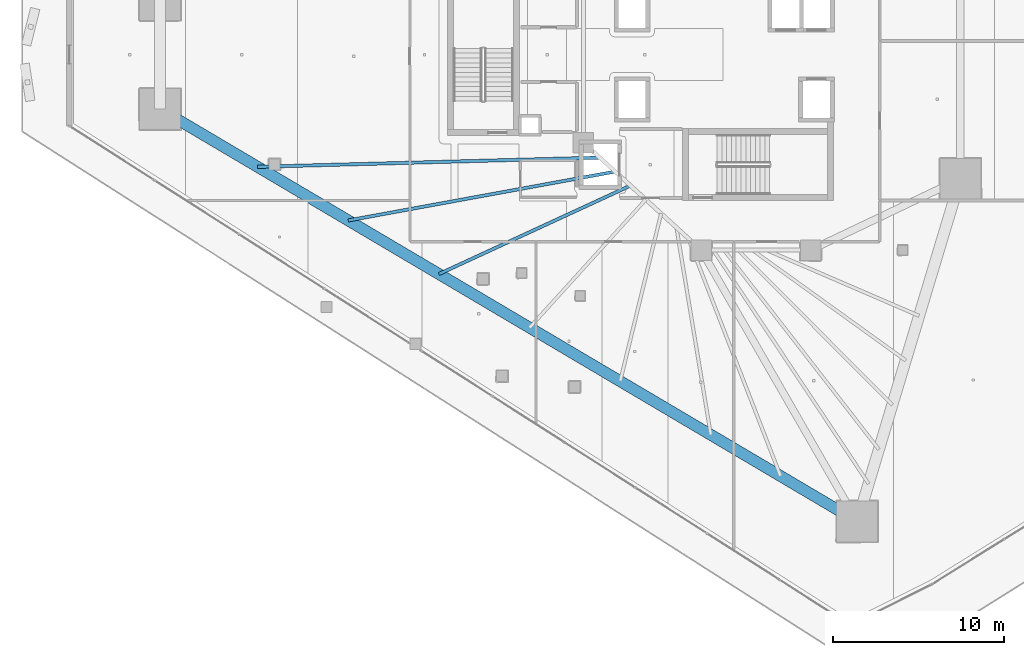
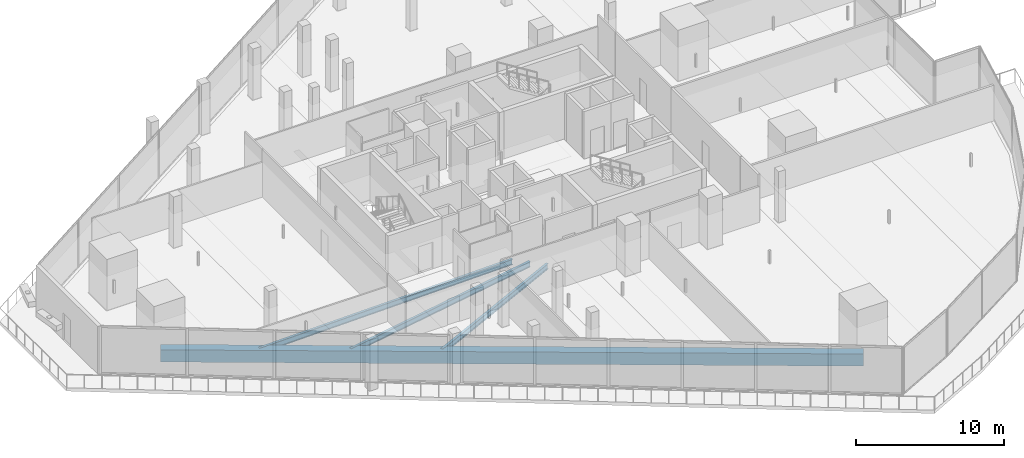
# One storey, part 6 of 44: 4 beams.
"""IFC4 building model written with IfcOpenShell, lengths in metres."""

from ifc_helpers import new_model, si_unit, direction, frame, origin, origin_2d, place, context, subcontext, project, spatial, rectangle, i_section, extrude, material, material_profile, profile_set, type_object, element, save


model = new_model("IFC4")

# Units and contexts
model_context = context("Model", 3, precision=1e-05, world=origin(), true_north=direction((0.0, 1.0)))
body_context = subcontext(model_context, "Body", "Model", "MODEL_VIEW")
ifc_project = project(units=[si_unit("LENGTHUNIT", "METRE"), si_unit("AREAUNIT", "SQUARE_METRE"), si_unit("VOLUMEUNIT", "CUBIC_METRE"), si_unit("PLANEANGLEUNIT", "RADIAN"), si_unit("MASSUNIT", "GRAM", prefix="KILO")], contexts=[model_context])

# Site, building, storey
site_placement = place(None, origin())
site = spatial("IfcSite", under=ifc_project, at=site_placement, CompositionType="ELEMENT")
building_placement = place(site_placement, origin())
building = spatial("IfcBuilding", under=site, at=building_placement, Name="Qorvath Tower", CompositionType="ELEMENT")
storey_placement = place(building_placement, frame((0.0, 0.0, 40.800048828125)))
storey = spatial("IfcBuildingStorey", under=building, at=storey_placement, Name="L08", CompositionType="ELEMENT", Elevation=40.800048828125)

# Beams
ifc_material_1 = material(Name="Steel ASTM A992 Grade 50", Category="steel")
ifc_material_profile_1 = material_profile(ifc_material_1, i_section(OverallWidth=0.18994140625, OverallDepth=0.45703125, WebThickness=0.009033203125, FlangeThickness=0.014404296875, FilletRadius=0.011962890625, at=origin_2d()), Name="W18x50")
ifc_profile_set_1 = profile_set([ifc_material_profile_1], Name="Steel ASTM A992 Grade 50")
beam_type_1 = type_object("IfcBeamType", Name="BM-FJ2", PredefinedType="JOIST", material=ifc_profile_set_1)
beam_1_placement = place(storey_placement, frame((-29.533935546875, -6.031982421875, -0.508544921875), z_axis=(-0.999634925413, -0.02701880631, 0.0), x_axis=(0.02701880631, -0.999634925413, 0.0)))
element("IfcBeam", 1, at=beam_1_placement, inside=storey, type_object=beam_type_1, Name="Composite Floor Joist SW1 L08", PredefinedType="JOIST", context=body_context, shape_type="SweptSolid", body=[
    extrude(i_section(OverallWidth=0.18994140625, OverallDepth=0.45703125, WebThickness=0.009033203125, FlangeThickness=0.014404296875, FilletRadius=0.011962890625, at=origin_2d()), origin(), (0.0, 0.0, 1.0), 20.041748046875),
])
beam_2_placement = place(storey_placement, frame((-28.636962890625, -6.85107421875, -0.508544921875), z_axis=(-0.983656498786, -0.180055248176, 0.0), x_axis=(0.180055248176, -0.983656498786, 0.0)))
element("IfcBeam", 2, at=beam_2_placement, inside=storey, type_object=beam_type_1, Name="Composite Floor Joist SW2 L08", PredefinedType="JOIST", context=body_context, shape_type="SweptSolid", body=[
    extrude(i_section(OverallWidth=0.18994140625, OverallDepth=0.45703125, WebThickness=0.009033203125, FlangeThickness=0.014404296875, FilletRadius=0.011962890625, at=origin_2d()), origin(), (0.0, 0.0, 1.0), 15.884521484375),
])
beam_3_placement = place(storey_placement, frame((-27.739990234375, -7.669921875, -0.508544921875), z_axis=(-0.907881281747, -0.419227358665, 0.0), x_axis=(0.419227358665, -0.907881281747, 0.0)))
element("IfcBeam", 3, at=beam_3_placement, inside=storey, type_object=beam_type_1, Name="Composite Floor Joist SW3 L08", PredefinedType="JOIST", context=body_context, shape_type="SweptSolid", body=[
    extrude(i_section(OverallWidth=0.18994140625, OverallDepth=0.45703125, WebThickness=0.009033203125, FlangeThickness=0.014404296875, FilletRadius=0.011962890625, at=origin_2d()), origin(), (0.0, 0.0, 1.0), 12.353515625),
])
ifc_material_2 = material(Name="Concrete C50/60", Category="concrete")
ifc_material_profile_2 = material_profile(ifc_material_2, rectangle(XDim=0.64990234375, YDim=1.0, at=origin_2d()), Name="RCB 1000x650")
ifc_profile_set_2 = profile_set([ifc_material_profile_2], Name="Concrete C50/60")
beam_type_2 = type_object("IfcBeamType", Name="BM-RCB1", PredefinedType="SPANDREL", material=ifc_profile_set_2)
beam_4_placement = place(storey_placement, frame((-55.282958984375, -3.194580078125, -0.780029296875), z_axis=(0.860777360917, -0.508981664633, 0.0), x_axis=(0.508981664633, 0.860777360917, 0.0)))
element("IfcBeam", 4, at=beam_4_placement, inside=storey, type_object=beam_type_2, Name="Perimeter Loggia Frame Beam MC2-MC3 L08", PredefinedType="SPANDREL", context=body_context, shape_type="SweptSolid", body=[
    extrude(rectangle(XDim=0.64990234375, YDim=1.0, at=origin_2d()), origin(), (0.0, 0.0, 1.0), 47.420654296875),
])

save(model, "model.ifc")
